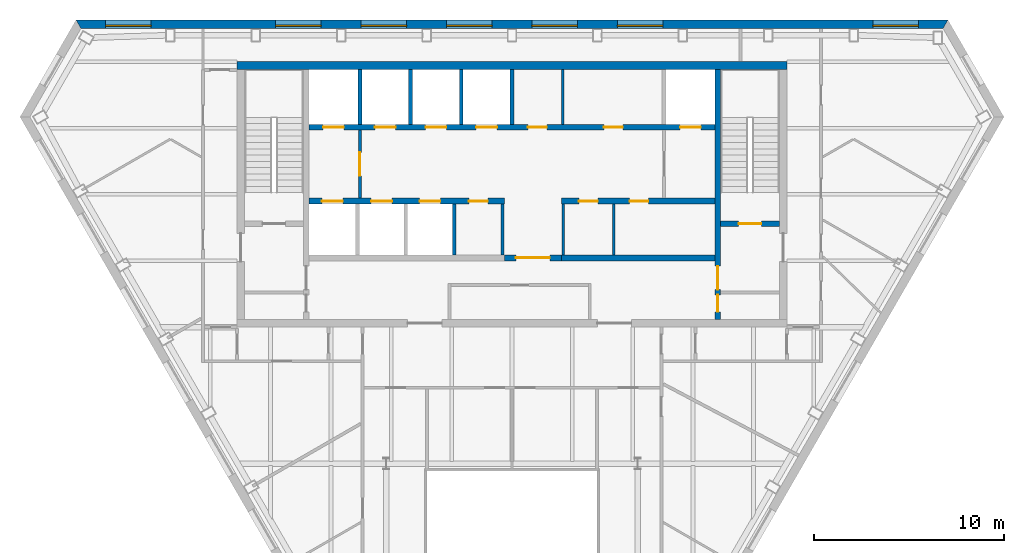
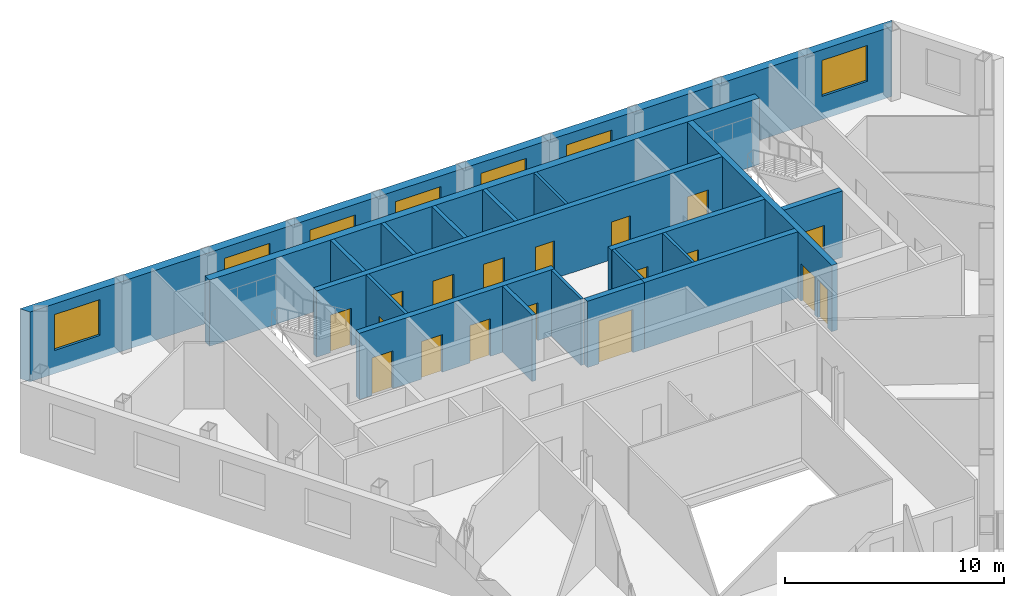
# One storey, part 6 of 10: 19 walls, 18 doors, 7 windows, 25 openings.
"""IFC4 building model written with IfcOpenShell, lengths in metres."""

from ifc_helpers import new_model, si_unit, direction, frame, frame_2d, origin, place, context, subcontext, project, spatial, polyline, rectangle, outline, extrude, material, layer, layer_set, type_object, element, fill, save


model = new_model("IFC4")

# Units and contexts
model_context = context("Model", 3, precision=1e-05, world=origin(), true_north=direction((0.0, 1.0)))
body_context = subcontext(model_context, "Body", "Model", "MODEL_VIEW")
ifc_project = project(units=[si_unit("LENGTHUNIT", "METRE"), si_unit("AREAUNIT", "SQUARE_METRE"), si_unit("VOLUMEUNIT", "CUBIC_METRE"), si_unit("PLANEANGLEUNIT", "RADIAN"), si_unit("MASSUNIT", "GRAM", prefix="KILO")], contexts=[model_context])

# Site, building, storey
site_placement = place(None, origin())
site = spatial("IfcSite", under=ifc_project, at=site_placement, CompositionType="ELEMENT")
building_placement = place(site_placement, origin())
building = spatial("IfcBuilding", under=site, at=building_placement, Name="Njiva Tower", CompositionType="ELEMENT")
storey_placement = place(building_placement, frame((0.0, 0.0, 261.0)))
storey = spatial("IfcBuildingStorey", under=building, at=storey_placement, Name="L59", CompositionType="ELEMENT", Elevation=261.0)

# Walls
ifc_material_1 = material(Name="Blockwork", Category="masonry")
ifc_layer_1 = layer(ifc_material_1, 0.15)
ifc_layer_set_1 = layer_set([ifc_layer_1], Name="Blockwork")
wall_type_1 = type_object("IfcWallType", Name="WT1 Compartment partition 150", PredefinedType="PARTITIONING", material=ifc_layer_set_1)
wall_1_placement = place(storey_placement, frame((2.675, 14.7, 0.0), z_axis=(0.0, 0.0, 1.0), x_axis=(0.0, 1.0, 0.0)))
element("IfcWall", 1, at=wall_1_placement, inside=storey, type_object=wall_type_1, Name="Partition CN5", PredefinedType="PARTITIONING", context=body_context, shape_type="SweptSolid", body=[
    extrude(rectangle(XDim=2.9, YDim=0.15, at=frame_2d((1.45, 0.0))), origin(), (0.0, 0.0, 1.0), 3.7),
])
for number, where, z_axis, x_axis, name in (
    (2, (-0.5, 7.8, 0.0), (0.0, 0.0, 1.0), (0.0, 1.0, 0.0), "Partition CS4"),
    (3, (2.7, 7.8, 0.0), (0.0, 0.0, 1.0), (0.0, 1.0, 0.0), "Partition CS5"),
    (4, (5.3667, 7.8, 0.0), (0.0, 0.0, 1.0), (0.0, 1.0, 0.0), "Partition CS6"),
):
    element("IfcWall", number, at=place(storey_placement, frame(where, z_axis=z_axis, x_axis=x_axis)), inside=storey, type_object=wall_type_1, Name=name, PredefinedType="PARTITIONING", context=body_context, shape_type="SweptSolid", body=[
        extrude(rectangle(XDim=2.7, YDim=0.15, at=frame_2d((1.35, 0.0))), origin(), (0.0, 0.0, 1.0), 3.7),
    ])

# Wall, openings, doors
ifc_material_2 = material(Name="Concrete C40/50", Category="concrete")
ifc_layer_2 = layer(ifc_material_2, 0.3)
ifc_layer_set_2 = layer_set([ifc_layer_2], Name="Concrete C40/50")
wall_type_2 = type_object("IfcWallType", Name="WT10 Stair enclosure wall 300", PredefinedType="SHEAR", material=ifc_layer_set_2)
wall_2_placement = place(storey_placement, frame((10.85, 4.4, 0.0), z_axis=(0.0, 0.0, 1.0), x_axis=(0.0, 1.0, 0.0)))
wall_2 = element("IfcWall", 5, at=wall_2_placement, inside=storey, type_object=wall_type_2, Name="Stair wall east inner", PredefinedType="SHEAR", context=body_context, shape_type="SweptSolid", body=[
    extrude(rectangle(XDim=13.2, YDim=0.3, at=frame_2d((6.6, 0.0))), origin(), (0.0, 0.0, 1.0), 3.7),
])
opening_1_placement = place(wall_2_placement, frame((1.575, 0.0, 0.0)))
opening_1 = element("IfcOpeningElement", 6, at=opening_1_placement, cuts=wall_2, Name="Opening S19-D921", PredefinedType="OPENING", context=body_context, shape_type="SweptSolid", body=[
    extrude(rectangle(XDim=1.25, YDim=2.1, at=frame_2d((0.625, 1.05))), frame((0.0, 0.16, 0.0), z_axis=(0.0, -1.0, 0.0), x_axis=(1.0, 0.0, 0.0)), (0.0, 0.0, 1.0), 0.32),
])
opening_2_placement = place(wall_2_placement, frame((0.4, 0.0, 0.0)))
opening_2 = element("IfcOpeningElement", 7, at=opening_2_placement, cuts=wall_2, Name="Opening S19-D923", PredefinedType="OPENING", context=body_context, shape_type="SweptSolid", body=[
    extrude(rectangle(XDim=0.9, YDim=2.1, at=frame_2d((0.45, 1.05))), frame((0.0, 0.16, 0.0), z_axis=(0.0, -1.0, 0.0), x_axis=(1.0, 0.0, 0.0)), (0.0, 0.0, 1.0), 0.32),
])
ifc_material_3 = material(Name="Steel door, painted", Category="steel")
door_type_1 = type_object("IfcDoorType", Name="D13 Steel door 900x2100", OperationType="SINGLE_SWING_LEFT", PredefinedType="DOOR", material=ifc_material_3)
door_1_placement = place(opening_2_placement, origin())
door_1 = element("IfcDoor", 8, at=door_1_placement, inside=storey, type_object=door_type_1, Name="Business centre door", OperationType="SINGLE_SWING_LEFT", OverallHeight=2.1, OverallWidth=0.9, PredefinedType="DOOR", context=body_context, shape_type="SweptSolid", body=[
    extrude(rectangle(XDim=0.9, YDim=2.1, at=frame_2d((0.45, 1.05))), frame((0.0, 0.025, 0.0), z_axis=(0.0, -1.0, 0.0), x_axis=(1.0, 0.0, 0.0)), (0.0, 0.0, 1.0), 0.05),
])
fill(opening_2, door_1)
ifc_material_4 = material(Name="Glazed steel fire door", Category="steel")
door_type_2 = type_object("IfcDoorType", Name="D8 Vestibule corridor door 1250x2100 glazed", OperationType="SINGLE_SWING_LEFT", PredefinedType="DOOR", material=ifc_material_4)
door_2_placement = place(opening_1_placement, origin())
door_2 = element("IfcDoor", 9, at=door_2_placement, inside=storey, type_object=door_type_2, Name="Stair vestibule corridor door", OperationType="SINGLE_SWING_RIGHT", OverallHeight=2.1, OverallWidth=1.25, PredefinedType="DOOR", context=body_context, shape_type="SweptSolid", body=[
    extrude(rectangle(XDim=1.25, YDim=2.1, at=frame_2d((0.625, 1.05))), frame((0.0, 0.025, 0.0), z_axis=(0.0, -1.0, 0.0), x_axis=(1.0, 0.0, 0.0)), (0.0, 0.0, 1.0), 0.05),
])
fill(opening_1, door_2)

# Wall, opening, door
wall_3_placement = place(storey_placement, frame((11.0, 9.45, 0.0), z_axis=(0.0, 0.0, 1.0), x_axis=(1.0, 0.0, 0.0)))
wall_3 = element("IfcWall", 10, at=wall_3_placement, inside=storey, type_object=wall_type_2, Name="Stair B south wall", PredefinedType="SHEAR", context=body_context, shape_type="SweptSolid", body=[
    extrude(rectangle(XDim=3.1, YDim=0.3, at=frame_2d((1.55, 0.0))), origin(), (0.0, 0.0, 1.0), 3.7),
])
opening_3_placement = place(wall_3_placement, frame((0.95, 0.0, 0.0)))
opening_3 = element("IfcOpeningElement", 11, at=opening_3_placement, cuts=wall_3, Name="Opening S19-D920", PredefinedType="OPENING", context=body_context, shape_type="SweptSolid", body=[
    extrude(rectangle(XDim=1.2, YDim=2.1, at=frame_2d((0.6, 1.05))), frame((0.0, 0.16, 0.0), z_axis=(0.0, -1.0, 0.0), x_axis=(1.0, 0.0, 0.0)), (0.0, 0.0, 1.0), 0.32),
])
door_type_3 = type_object("IfcDoorType", Name="D7 Stair vestibule door 1200x2100 glazed", OperationType="SINGLE_SWING_LEFT", PredefinedType="DOOR", material=ifc_material_4)
door_3_placement = place(opening_3_placement, origin())
door_3 = element("IfcDoor", 12, at=door_3_placement, inside=storey, type_object=door_type_3, Name="Stair B door", OperationType="SINGLE_SWING_LEFT", OverallHeight=2.1, OverallWidth=1.2, PredefinedType="DOOR", context=body_context, shape_type="SweptSolid", body=[
    extrude(rectangle(XDim=1.2, YDim=2.1, at=frame_2d((0.6, 1.05))), frame((0.0, 0.025, 0.0), z_axis=(0.0, -1.0, 0.0), x_axis=(1.0, 0.0, 0.0)), (0.0, 0.0, 1.0), 0.05),
])
fill(opening_3, door_3)

# Wall
ifc_material_5 = material(Name="Concrete C60/75", Category="concrete")
ifc_layer_3 = layer(ifc_material_5, 0.4)
ifc_layer_set_3 = layer_set([ifc_layer_3], Name="Concrete C60/75")
wall_type_3 = type_object("IfcWallType", Name="WT11 Core wall 400", PredefinedType="SHEAR", material=ifc_layer_set_3)
wall_4_placement = place(storey_placement, frame((-14.5, 17.8, 0.0), z_axis=(0.0, 0.0, 1.0), x_axis=(1.0, 0.0, 0.0)))
element("IfcWall", 13, at=wall_4_placement, inside=storey, type_object=wall_type_3, Name="Core wall north", PredefinedType="SHEAR", context=body_context, shape_type="SweptSolid", body=[
    extrude(rectangle(XDim=29.0, YDim=0.4, at=frame_2d((14.5, 0.0))), origin(), (0.0, 0.0, 1.0), 3.7),
])

# Wall, opening, door
ifc_layer_4 = layer(ifc_material_1, 0.15)
ifc_layer_set_4 = layer_set([ifc_layer_4], Name="Blockwork")
wall_type_4 = type_object("IfcWallType", Name="WT2 Lobby partition 150", PredefinedType="PARTITIONING", material=ifc_layer_set_4)
wall_5_placement = place(storey_placement, frame((-8.025, 10.8, 0.0), z_axis=(0.0, 0.0, 1.0), x_axis=(0.0, 1.0, 0.0)))
wall_5 = element("IfcWall", 14, at=wall_5_placement, inside=storey, type_object=wall_type_4, Name="Firefighting lobby wall A", PredefinedType="PARTITIONING", context=body_context, shape_type="SweptSolid", body=[
    extrude(rectangle(XDim=3.6, YDim=0.15, at=frame_2d((1.8, 0.0))), origin(), (0.0, 0.0, 1.0), 3.7),
])
opening_4_placement = place(wall_5_placement, frame((1.175, 0.0, 0.0)))
opening_4 = element("IfcOpeningElement", 15, at=opening_4_placement, cuts=wall_5, Name="Opening S19-D914", PredefinedType="OPENING", context=body_context, shape_type="SweptSolid", body=[
    extrude(rectangle(XDim=1.25, YDim=2.1, at=frame_2d((0.625, 1.05))), frame((0.0, 0.085, 0.0), z_axis=(0.0, -1.0, 0.0), x_axis=(1.0, 0.0, 0.0)), (0.0, 0.0, 1.0), 0.17),
])
door_4_placement = place(opening_4_placement, origin())
door_4 = element("IfcDoor", 16, at=door_4_placement, inside=storey, type_object=door_type_2, Name="Stair vestibule corridor door", OperationType="SINGLE_SWING_RIGHT", OverallHeight=2.1, OverallWidth=1.25, PredefinedType="DOOR", context=body_context, shape_type="SweptSolid", body=[
    extrude(rectangle(XDim=1.25, YDim=2.1, at=frame_2d((0.625, 1.05))), frame((0.0, 0.025, 0.0), z_axis=(0.0, -1.0, 0.0), x_axis=(1.0, 0.0, 0.0)), (0.0, 0.0, 1.0), 0.05),
])
fill(opening_4, door_4)

ifc_layer_5 = layer(ifc_material_1, 0.3)
ifc_layer_set_5 = layer_set([ifc_layer_5], Name="Blockwork")
wall_type_5 = type_object("IfcWallType", Name="WT5 Lobby partition 300", PredefinedType="PARTITIONING", material=ifc_layer_set_5)
wall_6_placement = place(storey_placement, frame((-0.4, 7.65, 0.0), z_axis=(0.0, 0.0, 1.0), x_axis=(1.0, 0.0, 0.0)))
wall_6 = element("IfcWall", 17, at=wall_6_placement, inside=storey, type_object=wall_type_5, Name="Lift lobby screen wall", PredefinedType="PARTITIONING", context=body_context, shape_type="SweptSolid", body=[
    extrude(rectangle(XDim=3.0, YDim=0.3, at=frame_2d((1.5, 0.0))), origin(), (0.0, 0.0, 1.0), 3.7),
])
opening_5_placement = place(wall_6_placement, frame((0.6, 0.0, 0.0)))
opening_5 = element("IfcOpeningElement", 18, at=opening_5_placement, cuts=wall_6, Name="Opening S19-D925", PredefinedType="OPENING", context=body_context, shape_type="SweptSolid", body=[
    extrude(rectangle(XDim=1.8, YDim=2.4, at=frame_2d((0.9, 1.2))), frame((0.0, 0.16, 0.0), z_axis=(0.0, -1.0, 0.0), x_axis=(1.0, 0.0, 0.0)), (0.0, 0.0, 1.0), 0.32),
])
ifc_material_6 = material(Name="Steel and glass door", Category="steel")
door_type_4 = type_object("IfcDoorType", Name="D3 Core entrance door 1800x2400", OperationType="DOUBLE_DOOR_SINGLE_SWING", PredefinedType="DOOR", material=ifc_material_6)
door_5_placement = place(opening_5_placement, origin())
door_5 = element("IfcDoor", 19, at=door_5_placement, inside=storey, type_object=door_type_4, Name="Core entrance door", OperationType="DOUBLE_DOOR_SINGLE_SWING", OverallHeight=2.4, OverallWidth=1.8, PredefinedType="DOOR", context=body_context, shape_type="SweptSolid", body=[
    extrude(rectangle(XDim=1.8, YDim=2.4, at=frame_2d((0.9, 1.2))), frame((0.0, 0.025, 0.0), z_axis=(0.0, -1.0, 0.0), x_axis=(1.0, 0.0, 0.0)), (0.0, 0.0, 1.0), 0.05),
])
fill(opening_5, door_5)

# Walls
ifc_layer_6 = layer(ifc_material_2, 0.2)
ifc_layer_set_6 = layer_set([ifc_layer_6], Name="Concrete C40/50")
wall_type_6 = type_object("IfcWallType", Name="WT6 Lift shaft wall 200", PredefinedType="SHEAR", material=ifc_layer_set_6)
for number, where, z_axis, x_axis, name in (
    (20, (-8.025, 14.7, 0.0), (0.0, 0.0, 1.0), (0.0, 1.0, 0.0), "Shaft wall CN1"),
    (21, (-5.35, 14.7, 0.0), (0.0, 0.0, 1.0), (0.0, 1.0, 0.0), "Shaft wall CN2"),
    (22, (-2.675, 14.7, 0.0), (0.0, 0.0, 1.0), (0.0, 1.0, 0.0), "Shaft wall CN3"),
    (23, (0.0, 14.7, 0.0), (0.0, 0.0, 1.0), (0.0, 1.0, 0.0), "Shaft wall CN4"),
):
    element("IfcWall", number, at=place(storey_placement, frame(where, z_axis=z_axis, x_axis=x_axis)), inside=storey, type_object=wall_type_6, Name=name, PredefinedType="SHEAR", context=body_context, shape_type="SweptSolid", body=[
        extrude(rectangle(XDim=2.9, YDim=0.2, at=frame_2d((1.45, 0.0))), origin(), (0.0, 0.0, 1.0), 3.7),
    ])
wall_7_placement = place(storey_placement, frame((-3.05, 7.8, 0.0), z_axis=(0.0, 0.0, 1.0), x_axis=(0.0, 1.0, 0.0)))
element("IfcWall", 24, at=wall_7_placement, inside=storey, type_object=wall_type_6, Name="Shaft wall CS3", PredefinedType="SHEAR", context=body_context, shape_type="SweptSolid", body=[
    extrude(rectangle(XDim=2.7, YDim=0.2, at=frame_2d((1.35, 0.0))), origin(), (0.0, 0.0, 1.0), 3.7),
])

# Wall, openings, doors
ifc_layer_7 = layer(ifc_material_2, 0.3)
ifc_layer_set_7 = layer_set([ifc_layer_7], Name="Concrete C40/50")
wall_type_7 = type_object("IfcWallType", Name="WT7 Lift shaft wall 300", PredefinedType="SHEAR", material=ifc_layer_set_7)
wall_8_placement = place(storey_placement, frame((-10.7, 14.55, 0.0), z_axis=(0.0, 0.0, 1.0), x_axis=(1.0, 0.0, 0.0)))
wall_8 = element("IfcWall", 25, at=wall_8_placement, inside=storey, type_object=wall_type_7, Name="Shaft wall north row lobby side", PredefinedType="SHEAR", context=body_context, shape_type="SweptSolid", body=[
    extrude(rectangle(XDim=21.4, YDim=0.3, at=frame_2d((10.7, 0.0))), origin(), (0.0, 0.0, 1.0), 3.7),
])
opening_6_placement = place(wall_8_placement, frame((0.7375, 0.0, 0.0)))
opening_6 = element("IfcOpeningElement", 26, at=opening_6_placement, cuts=wall_8, Name="Opening S19-D901", PredefinedType="OPENING", context=body_context, shape_type="SweptSolid", body=[
    extrude(rectangle(XDim=1.1, YDim=2.1, at=frame_2d((0.55, 1.05))), frame((0.0, 0.16, 0.0), z_axis=(0.0, -1.0, 0.0), x_axis=(1.0, 0.0, 0.0)), (0.0, 0.0, 1.0), 0.32),
])
opening_7_placement = place(wall_8_placement, frame((3.4625, 0.0, 0.0)))
opening_7 = element("IfcOpeningElement", 27, at=opening_7_placement, cuts=wall_8, Name="Opening S19-D902", PredefinedType="OPENING", context=body_context, shape_type="SweptSolid", body=[
    extrude(rectangle(XDim=1.1, YDim=2.1, at=frame_2d((0.55, 1.05))), frame((0.0, 0.16, 0.0), z_axis=(0.0, -1.0, 0.0), x_axis=(1.0, 0.0, 0.0)), (0.0, 0.0, 1.0), 0.32),
])
opening_8_placement = place(wall_8_placement, frame((6.1375, 0.0, 0.0)))
opening_8 = element("IfcOpeningElement", 28, at=opening_8_placement, cuts=wall_8, Name="Opening S19-D903", PredefinedType="OPENING", context=body_context, shape_type="SweptSolid", body=[
    extrude(rectangle(XDim=1.1, YDim=2.1, at=frame_2d((0.55, 1.05))), frame((0.0, 0.16, 0.0), z_axis=(0.0, -1.0, 0.0), x_axis=(1.0, 0.0, 0.0)), (0.0, 0.0, 1.0), 0.32),
])
opening_9_placement = place(wall_8_placement, frame((8.8125, 0.0, 0.0)))
opening_9 = element("IfcOpeningElement", 29, at=opening_9_placement, cuts=wall_8, Name="Opening S19-D904", PredefinedType="OPENING", context=body_context, shape_type="SweptSolid", body=[
    extrude(rectangle(XDim=1.1, YDim=2.1, at=frame_2d((0.55, 1.05))), frame((0.0, 0.16, 0.0), z_axis=(0.0, -1.0, 0.0), x_axis=(1.0, 0.0, 0.0)), (0.0, 0.0, 1.0), 0.32),
])
opening_10_placement = place(wall_8_placement, frame((19.5625, 0.0, 0.0)))
opening_10 = element("IfcOpeningElement", 30, at=opening_10_placement, cuts=wall_8, Name="Opening S19-D905", PredefinedType="OPENING", context=body_context, shape_type="SweptSolid", body=[
    extrude(rectangle(XDim=1.1, YDim=2.1, at=frame_2d((0.55, 1.05))), frame((0.0, 0.16, 0.0), z_axis=(0.0, -1.0, 0.0), x_axis=(1.0, 0.0, 0.0)), (0.0, 0.0, 1.0), 0.32),
])
opening_11_placement = place(wall_8_placement, frame((11.5375, 0.0, 0.0)))
opening_11 = element("IfcOpeningElement", 31, at=opening_11_placement, cuts=wall_8, Name="Opening S19-D909", PredefinedType="OPENING", context=body_context, shape_type="SweptSolid", body=[
    extrude(rectangle(XDim=1.0, YDim=2.1, at=frame_2d((0.5, 1.05))), frame((0.0, 0.16, 0.0), z_axis=(0.0, -1.0, 0.0), x_axis=(1.0, 0.0, 0.0)), (0.0, 0.0, 1.0), 0.32),
])
opening_12_placement = place(wall_8_placement, frame((15.55, 0.0, 0.0)))
opening_12 = element("IfcOpeningElement", 32, at=opening_12_placement, cuts=wall_8, Name="Opening S19-D910", PredefinedType="OPENING", context=body_context, shape_type="SweptSolid", body=[
    extrude(rectangle(XDim=1.0, YDim=2.1, at=frame_2d((0.5, 1.05))), frame((0.0, 0.16, 0.0), z_axis=(0.0, -1.0, 0.0), x_axis=(1.0, 0.0, 0.0)), (0.0, 0.0, 1.0), 0.32),
])
door_type_5 = type_object("IfcDoorType", Name="D5 Steel door 1000x2100", OperationType="SINGLE_SWING_LEFT", PredefinedType="DOOR", material=ifc_material_3)
door_6_placement = place(opening_11_placement, origin())
door_6 = element("IfcDoor", 33, at=door_6_placement, inside=storey, type_object=door_type_5, Name="Quiet room door", OperationType="SINGLE_SWING_LEFT", OverallHeight=2.1, OverallWidth=1.0, PredefinedType="DOOR", context=body_context, shape_type="SweptSolid", body=[
    extrude(rectangle(XDim=1.0, YDim=2.1, at=frame_2d((0.5, 1.05))), frame((0.0, 0.025, 0.0), z_axis=(0.0, -1.0, 0.0), x_axis=(1.0, 0.0, 0.0)), (0.0, 0.0, 1.0), 0.05),
])
fill(opening_11, door_6)
door_7_placement = place(opening_12_placement, origin())
door_7 = element("IfcDoor", 34, at=door_7_placement, inside=storey, type_object=door_type_5, Name="Prayer room door", OperationType="SINGLE_SWING_LEFT", OverallHeight=2.1, OverallWidth=1.0, PredefinedType="DOOR", context=body_context, shape_type="SweptSolid", body=[
    extrude(rectangle(XDim=1.0, YDim=2.1, at=frame_2d((0.5, 1.05))), frame((0.0, 0.025, 0.0), z_axis=(0.0, -1.0, 0.0), x_axis=(1.0, 0.0, 0.0)), (0.0, 0.0, 1.0), 0.05),
])
fill(opening_12, door_7)
ifc_material_7 = material(Name="Stainless steel sliding door", Category="steel")
door_type_6 = type_object("IfcDoorType", Name="LD Lift landing door 1100x2100", OperationType="SLIDING_TO_LEFT", PredefinedType="DOOR", material=ifc_material_7)
door_8_placement = place(opening_6_placement, origin())
door_8 = element("IfcDoor", 35, at=door_8_placement, inside=storey, type_object=door_type_6, Name="Lift landing door FF1", OperationType="SLIDING_TO_LEFT", OverallHeight=2.1, OverallWidth=1.1, PredefinedType="DOOR", context=body_context, shape_type="SweptSolid", body=[
    extrude(rectangle(XDim=1.1, YDim=2.1, at=frame_2d((0.55, 1.05))), frame((0.0, 0.025, 0.0), z_axis=(0.0, -1.0, 0.0), x_axis=(1.0, 0.0, 0.0)), (0.0, 0.0, 1.0), 0.05),
])
fill(opening_6, door_8)
door_9_placement = place(opening_7_placement, origin())
door_9 = element("IfcDoor", 36, at=door_9_placement, inside=storey, type_object=door_type_6, Name="Lift landing door HB4", OperationType="SLIDING_TO_LEFT", OverallHeight=2.1, OverallWidth=1.1, PredefinedType="DOOR", context=body_context, shape_type="SweptSolid", body=[
    extrude(rectangle(XDim=1.1, YDim=2.1, at=frame_2d((0.55, 1.05))), frame((0.0, 0.025, 0.0), z_axis=(0.0, -1.0, 0.0), x_axis=(1.0, 0.0, 0.0)), (0.0, 0.0, 1.0), 0.05),
])
fill(opening_7, door_9)
door_10_placement = place(opening_8_placement, origin())
door_10 = element("IfcDoor", 37, at=door_10_placement, inside=storey, type_object=door_type_6, Name="Lift landing door HB5", OperationType="SLIDING_TO_LEFT", OverallHeight=2.1, OverallWidth=1.1, PredefinedType="DOOR", context=body_context, shape_type="SweptSolid", body=[
    extrude(rectangle(XDim=1.1, YDim=2.1, at=frame_2d((0.55, 1.05))), frame((0.0, 0.025, 0.0), z_axis=(0.0, -1.0, 0.0), x_axis=(1.0, 0.0, 0.0)), (0.0, 0.0, 1.0), 0.05),
])
fill(opening_8, door_10)
door_11_placement = place(opening_9_placement, origin())
door_11 = element("IfcDoor", 38, at=door_11_placement, inside=storey, type_object=door_type_6, Name="Lift landing door HB6", OperationType="SLIDING_TO_LEFT", OverallHeight=2.1, OverallWidth=1.1, PredefinedType="DOOR", context=body_context, shape_type="SweptSolid", body=[
    extrude(rectangle(XDim=1.1, YDim=2.1, at=frame_2d((0.55, 1.05))), frame((0.0, 0.025, 0.0), z_axis=(0.0, -1.0, 0.0), x_axis=(1.0, 0.0, 0.0)), (0.0, 0.0, 1.0), 0.05),
])
fill(opening_9, door_11)
door_12_placement = place(opening_10_placement, origin())
door_12 = element("IfcDoor", 39, at=door_12_placement, inside=storey, type_object=door_type_6, Name="Lift landing door FF2", OperationType="SLIDING_TO_LEFT", OverallHeight=2.1, OverallWidth=1.1, PredefinedType="DOOR", context=body_context, shape_type="SweptSolid", body=[
    extrude(rectangle(XDim=1.1, YDim=2.1, at=frame_2d((0.55, 1.05))), frame((0.0, 0.025, 0.0), z_axis=(0.0, -1.0, 0.0), x_axis=(1.0, 0.0, 0.0)), (0.0, 0.0, 1.0), 0.05),
])
fill(opening_10, door_12)

wall_9_placement = place(storey_placement, frame((-10.7, 10.65, 0.0), z_axis=(0.0, 0.0, 1.0), x_axis=(1.0, 0.0, 0.0)))
wall_9 = element("IfcWall", 40, at=wall_9_placement, inside=storey, type_object=wall_type_7, Name="Shaft wall south row lobby side W", PredefinedType="SHEAR", context=body_context, shape_type="SweptSolid", body=[
    extrude(rectangle(XDim=10.3, YDim=0.3, at=frame_2d((5.15, 0.0))), origin(), (0.0, 0.0, 1.0), 3.7),
])
opening_13_placement = place(wall_9_placement, frame((0.675, 0.0, 0.0)))
opening_13 = element("IfcOpeningElement", 41, at=opening_13_placement, cuts=wall_9, Name="Opening S19-D906", PredefinedType="OPENING", context=body_context, shape_type="SweptSolid", body=[
    extrude(rectangle(XDim=1.1, YDim=2.1, at=frame_2d((0.55, 1.05))), frame((0.0, 0.16, 0.0), z_axis=(0.0, -1.0, 0.0), x_axis=(1.0, 0.0, 0.0)), (0.0, 0.0, 1.0), 0.32),
])
opening_14_placement = place(wall_9_placement, frame((3.275, 0.0, 0.0)))
opening_14 = element("IfcOpeningElement", 42, at=opening_14_placement, cuts=wall_9, Name="Opening S19-D907", PredefinedType="OPENING", context=body_context, shape_type="SweptSolid", body=[
    extrude(rectangle(XDim=1.1, YDim=2.1, at=frame_2d((0.55, 1.05))), frame((0.0, 0.16, 0.0), z_axis=(0.0, -1.0, 0.0), x_axis=(1.0, 0.0, 0.0)), (0.0, 0.0, 1.0), 0.32),
])
opening_15_placement = place(wall_9_placement, frame((5.825, 0.0, 0.0)))
opening_15 = element("IfcOpeningElement", 43, at=opening_15_placement, cuts=wall_9, Name="Opening S19-D908", PredefinedType="OPENING", context=body_context, shape_type="SweptSolid", body=[
    extrude(rectangle(XDim=1.1, YDim=2.1, at=frame_2d((0.55, 1.05))), frame((0.0, 0.16, 0.0), z_axis=(0.0, -1.0, 0.0), x_axis=(1.0, 0.0, 0.0)), (0.0, 0.0, 1.0), 0.32),
])
opening_16_placement = place(wall_9_placement, frame((8.425, 0.0, 0.0)))
opening_16 = element("IfcOpeningElement", 44, at=opening_16_placement, cuts=wall_9, Name="Opening S19-D911", PredefinedType="OPENING", context=body_context, shape_type="SweptSolid", body=[
    extrude(rectangle(XDim=1.0, YDim=2.1, at=frame_2d((0.5, 1.05))), frame((0.0, 0.16, 0.0), z_axis=(0.0, -1.0, 0.0), x_axis=(1.0, 0.0, 0.0)), (0.0, 0.0, 1.0), 0.32),
])
door_13_placement = place(opening_16_placement, origin())
door_13 = element("IfcDoor", 45, at=door_13_placement, inside=storey, type_object=door_type_5, Name="Business centre door", OperationType="SINGLE_SWING_RIGHT", OverallHeight=2.1, OverallWidth=1.0, PredefinedType="DOOR", context=body_context, shape_type="SweptSolid", body=[
    extrude(rectangle(XDim=1.0, YDim=2.1, at=frame_2d((0.5, 1.05))), frame((0.0, 0.025, 0.0), z_axis=(0.0, -1.0, 0.0), x_axis=(1.0, 0.0, 0.0)), (0.0, 0.0, 1.0), 0.05),
])
fill(opening_16, door_13)
door_14_placement = place(opening_13_placement, origin())
door_14 = element("IfcDoor", 46, at=door_14_placement, inside=storey, type_object=door_type_6, Name="Lift landing door HB1", OperationType="SLIDING_TO_LEFT", OverallHeight=2.1, OverallWidth=1.1, PredefinedType="DOOR", context=body_context, shape_type="SweptSolid", body=[
    extrude(rectangle(XDim=1.1, YDim=2.1, at=frame_2d((0.55, 1.05))), frame((0.0, 0.025, 0.0), z_axis=(0.0, -1.0, 0.0), x_axis=(1.0, 0.0, 0.0)), (0.0, 0.0, 1.0), 0.05),
])
fill(opening_13, door_14)
door_15_placement = place(opening_14_placement, origin())
door_15 = element("IfcDoor", 47, at=door_15_placement, inside=storey, type_object=door_type_6, Name="Lift landing door HB2", OperationType="SLIDING_TO_LEFT", OverallHeight=2.1, OverallWidth=1.1, PredefinedType="DOOR", context=body_context, shape_type="SweptSolid", body=[
    extrude(rectangle(XDim=1.1, YDim=2.1, at=frame_2d((0.55, 1.05))), frame((0.0, 0.025, 0.0), z_axis=(0.0, -1.0, 0.0), x_axis=(1.0, 0.0, 0.0)), (0.0, 0.0, 1.0), 0.05),
])
fill(opening_14, door_15)
door_16_placement = place(opening_15_placement, origin())
door_16 = element("IfcDoor", 48, at=door_16_placement, inside=storey, type_object=door_type_6, Name="Lift landing door HB3", OperationType="SLIDING_TO_LEFT", OverallHeight=2.1, OverallWidth=1.1, PredefinedType="DOOR", context=body_context, shape_type="SweptSolid", body=[
    extrude(rectangle(XDim=1.1, YDim=2.1, at=frame_2d((0.55, 1.05))), frame((0.0, 0.025, 0.0), z_axis=(0.0, -1.0, 0.0), x_axis=(1.0, 0.0, 0.0)), (0.0, 0.0, 1.0), 0.05),
])
fill(opening_15, door_16)

wall_10_placement = place(storey_placement, frame((2.6, 10.65, 0.0), z_axis=(0.0, 0.0, 1.0), x_axis=(1.0, 0.0, 0.0)))
wall_10 = element("IfcWall", 49, at=wall_10_placement, inside=storey, type_object=wall_type_7, Name="Shaft wall south row lobby side E", PredefinedType="SHEAR", context=body_context, shape_type="SweptSolid", body=[
    extrude(rectangle(XDim=8.1, YDim=0.3, at=frame_2d((4.05, 0.0))), origin(), (0.0, 0.0, 1.0), 3.7),
])
opening_17_placement = place(wall_10_placement, frame((0.9334, 0.0, 0.0)))
opening_17 = element("IfcOpeningElement", 50, at=opening_17_placement, cuts=wall_10, Name="Opening S19-D912", PredefinedType="OPENING", context=body_context, shape_type="SweptSolid", body=[
    extrude(rectangle(XDim=1.0, YDim=2.1, at=frame_2d((0.5, 1.05))), frame((0.0, 0.16, 0.0), z_axis=(0.0, -1.0, 0.0), x_axis=(1.0, 0.0, 0.0)), (0.0, 0.0, 1.0), 0.32),
])
opening_18_placement = place(wall_10_placement, frame((3.6, 0.0, 0.0)))
opening_18 = element("IfcOpeningElement", 51, at=opening_18_placement, cuts=wall_10, Name="Opening S19-D913", PredefinedType="OPENING", context=body_context, shape_type="SweptSolid", body=[
    extrude(rectangle(XDim=1.0, YDim=2.1, at=frame_2d((0.5, 1.05))), frame((0.0, 0.16, 0.0), z_axis=(0.0, -1.0, 0.0), x_axis=(1.0, 0.0, 0.0)), (0.0, 0.0, 1.0), 0.32),
])
door_17_placement = place(opening_17_placement, origin())
door_17 = element("IfcDoor", 52, at=door_17_placement, inside=storey, type_object=door_type_5, Name="Meeting room door", OperationType="SINGLE_SWING_LEFT", OverallHeight=2.1, OverallWidth=1.0, PredefinedType="DOOR", context=body_context, shape_type="SweptSolid", body=[
    extrude(rectangle(XDim=1.0, YDim=2.1, at=frame_2d((0.5, 1.05))), frame((0.0, 0.025, 0.0), z_axis=(0.0, -1.0, 0.0), x_axis=(1.0, 0.0, 0.0)), (0.0, 0.0, 1.0), 0.05),
])
fill(opening_17, door_17)
door_18_placement = place(opening_18_placement, origin())
door_18 = element("IfcDoor", 53, at=door_18_placement, inside=storey, type_object=door_type_5, Name="Pump room door", OperationType="SINGLE_SWING_RIGHT", OverallHeight=2.1, OverallWidth=1.0, PredefinedType="DOOR", context=body_context, shape_type="SweptSolid", body=[
    extrude(rectangle(XDim=1.0, YDim=2.1, at=frame_2d((0.5, 1.05))), frame((0.0, 0.025, 0.0), z_axis=(0.0, -1.0, 0.0), x_axis=(1.0, 0.0, 0.0)), (0.0, 0.0, 1.0), 0.05),
])
fill(opening_18, door_18)

# Wall
wall_11_placement = place(storey_placement, frame((2.6, 7.65, 0.0), z_axis=(0.0, 0.0, 1.0), x_axis=(1.0, 0.0, 0.0)))
element("IfcWall", 54, at=wall_11_placement, inside=storey, type_object=wall_type_7, Name="Shaft wall south row back E", PredefinedType="SHEAR", context=body_context, shape_type="SweptSolid", body=[
    extrude(rectangle(XDim=8.1, YDim=0.3, at=frame_2d((4.05, 0.0))), origin(), (0.0, 0.0, 1.0), 3.7),
])

# Wall, openings, windows
ifc_material_8 = material(Name="Brick masonry", Category="masonry")
ifc_layer_8 = layer(ifc_material_8, 0.45)
ifc_layer_set_8 = layer_set([ifc_layer_8], Name="Brick masonry")
wall_type_8 = type_object("IfcWallType", Name="WT90 Brick pier and spandrel wall 450", PredefinedType="SOLIDWALL", material=ifc_layer_set_8)
wall_12_placement = place(storey_placement, frame((22.8651, 19.975, -0.4), z_axis=(0.0, 0.0, 1.0), x_axis=(-1.0, 0.0, 0.0)))
wall_12 = element("IfcWall", 55, at=wall_12_placement, inside=storey, type_object=wall_type_8, Name="Facade wall N", PredefinedType="SOLIDWALL", context=body_context, shape_type="SweptSolid", body=[
    extrude(outline(polyline([(-0.1299, -0.225), (45.8601, -0.225), (45.6003, 0.225), (0.1299, 0.225), (-0.1299, -0.225)])), origin(), (0.0, 0.0, 1.0), 3.9),
])
opening_19_placement = place(wall_12_placement, frame((1.4237, 0.0, 1.3)))
opening_19 = element("IfcOpeningElement", 56, at=opening_19_placement, cuts=wall_12, Name="Opening S19-W01", PredefinedType="OPENING", context=body_context, shape_type="SweptSolid", body=[
    extrude(rectangle(XDim=2.4, YDim=2.0, at=frame_2d((1.2, 1.0))), frame((0.0, 0.235, 0.0), z_axis=(0.0, -1.0, 0.0), x_axis=(1.0, 0.0, 0.0)), (0.0, 0.0, 1.0), 0.47),
])
opening_20_placement = place(wall_12_placement, frame((14.9052, 0.0, 1.3)))
opening_20 = element("IfcOpeningElement", 57, at=opening_20_placement, cuts=wall_12, Name="Opening S19-W02", PredefinedType="OPENING", context=body_context, shape_type="SweptSolid", body=[
    extrude(rectangle(XDim=2.4, YDim=2.0, at=frame_2d((1.2, 1.0))), frame((0.0, 0.235, 0.0), z_axis=(0.0, -1.0, 0.0), x_axis=(1.0, 0.0, 0.0)), (0.0, 0.0, 1.0), 0.47),
])
opening_21_placement = place(wall_12_placement, frame((19.4118, 0.0, 1.3)))
opening_21 = element("IfcOpeningElement", 58, at=opening_21_placement, cuts=wall_12, Name="Opening S19-W03", PredefinedType="OPENING", context=body_context, shape_type="SweptSolid", body=[
    extrude(rectangle(XDim=2.4, YDim=2.0, at=frame_2d((1.2, 1.0))), frame((0.0, 0.235, 0.0), z_axis=(0.0, -1.0, 0.0), x_axis=(1.0, 0.0, 0.0)), (0.0, 0.0, 1.0), 0.47),
])
opening_22_placement = place(wall_12_placement, frame((23.9184, 0.0, 1.3)))
opening_22 = element("IfcOpeningElement", 59, at=opening_22_placement, cuts=wall_12, Name="Opening S19-W04", PredefinedType="OPENING", context=body_context, shape_type="SweptSolid", body=[
    extrude(rectangle(XDim=2.4, YDim=2.0, at=frame_2d((1.2, 1.0))), frame((0.0, 0.235, 0.0), z_axis=(0.0, -1.0, 0.0), x_axis=(1.0, 0.0, 0.0)), (0.0, 0.0, 1.0), 0.47),
])
opening_23_placement = place(wall_12_placement, frame((28.425, 0.0, 1.3)))
opening_23 = element("IfcOpeningElement", 60, at=opening_23_placement, cuts=wall_12, Name="Opening S19-W05", PredefinedType="OPENING", context=body_context, shape_type="SweptSolid", body=[
    extrude(rectangle(XDim=2.4, YDim=2.0, at=frame_2d((1.2, 1.0))), frame((0.0, 0.235, 0.0), z_axis=(0.0, -1.0, 0.0), x_axis=(1.0, 0.0, 0.0)), (0.0, 0.0, 1.0), 0.47),
])
opening_24_placement = place(wall_12_placement, frame((32.9316, 0.0, 1.3)))
opening_24 = element("IfcOpeningElement", 61, at=opening_24_placement, cuts=wall_12, Name="Opening S19-W06", PredefinedType="OPENING", context=body_context, shape_type="SweptSolid", body=[
    extrude(rectangle(XDim=2.4, YDim=2.0, at=frame_2d((1.2, 1.0))), frame((0.0, 0.235, 0.0), z_axis=(0.0, -1.0, 0.0), x_axis=(1.0, 0.0, 0.0)), (0.0, 0.0, 1.0), 0.47),
])
opening_25_placement = place(wall_12_placement, frame((41.9065, 0.0, 1.3)))
opening_25 = element("IfcOpeningElement", 62, at=opening_25_placement, cuts=wall_12, Name="Opening S19-W07", PredefinedType="OPENING", context=body_context, shape_type="SweptSolid", body=[
    extrude(rectangle(XDim=2.4, YDim=2.0, at=frame_2d((1.2, 1.0))), frame((0.0, 0.235, 0.0), z_axis=(0.0, -1.0, 0.0), x_axis=(1.0, 0.0, 0.0)), (0.0, 0.0, 1.0), 0.47),
])
ifc_material_9 = material(Name="Clear glazing in aluminium frame", Category="aluminium")
window_type = type_object("IfcWindowType", Name="W90 Deep-set window 2400x2000", PartitioningType="SINGLE_PANEL", PredefinedType="WINDOW", material=ifc_material_9)
window_1_placement = place(opening_19_placement, origin())
window_1 = element("IfcWindow", 63, at=window_1_placement, inside=storey, type_object=window_type, Name="Window", OverallHeight=2.0, OverallWidth=2.4, PartitioningType="SINGLE_PANEL", PredefinedType="WINDOW", context=body_context, shape_type="SweptSolid", body=[
    extrude(rectangle(XDim=2.4, YDim=2.0, at=frame_2d((1.2, 1.0))), frame((0.0, 0.105, 0.0), z_axis=(0.0, -1.0, 0.0), x_axis=(1.0, 0.0, 0.0)), (0.0, 0.0, 1.0), 0.06),
])
fill(opening_19, window_1)
window_2_placement = place(opening_20_placement, origin())
window_2 = element("IfcWindow", 64, at=window_2_placement, inside=storey, type_object=window_type, Name="Window", OverallHeight=2.0, OverallWidth=2.4, PartitioningType="SINGLE_PANEL", PredefinedType="WINDOW", context=body_context, shape_type="SweptSolid", body=[
    extrude(rectangle(XDim=2.4, YDim=2.0, at=frame_2d((1.2, 1.0))), frame((0.0, 0.105, 0.0), z_axis=(0.0, -1.0, 0.0), x_axis=(1.0, 0.0, 0.0)), (0.0, 0.0, 1.0), 0.06),
])
fill(opening_20, window_2)
window_3_placement = place(opening_21_placement, origin())
window_3 = element("IfcWindow", 65, at=window_3_placement, inside=storey, type_object=window_type, Name="Window", OverallHeight=2.0, OverallWidth=2.4, PartitioningType="SINGLE_PANEL", PredefinedType="WINDOW", context=body_context, shape_type="SweptSolid", body=[
    extrude(rectangle(XDim=2.4, YDim=2.0, at=frame_2d((1.2, 1.0))), frame((0.0, 0.105, 0.0), z_axis=(0.0, -1.0, 0.0), x_axis=(1.0, 0.0, 0.0)), (0.0, 0.0, 1.0), 0.06),
])
fill(opening_21, window_3)
window_4_placement = place(opening_22_placement, origin())
window_4 = element("IfcWindow", 66, at=window_4_placement, inside=storey, type_object=window_type, Name="Window", OverallHeight=2.0, OverallWidth=2.4, PartitioningType="SINGLE_PANEL", PredefinedType="WINDOW", context=body_context, shape_type="SweptSolid", body=[
    extrude(rectangle(XDim=2.4, YDim=2.0, at=frame_2d((1.2, 1.0))), frame((0.0, 0.105, 0.0), z_axis=(0.0, -1.0, 0.0), x_axis=(1.0, 0.0, 0.0)), (0.0, 0.0, 1.0), 0.06),
])
fill(opening_22, window_4)
window_5_placement = place(opening_23_placement, origin())
window_5 = element("IfcWindow", 67, at=window_5_placement, inside=storey, type_object=window_type, Name="Window", OverallHeight=2.0, OverallWidth=2.4, PartitioningType="SINGLE_PANEL", PredefinedType="WINDOW", context=body_context, shape_type="SweptSolid", body=[
    extrude(rectangle(XDim=2.4, YDim=2.0, at=frame_2d((1.2, 1.0))), frame((0.0, 0.105, 0.0), z_axis=(0.0, -1.0, 0.0), x_axis=(1.0, 0.0, 0.0)), (0.0, 0.0, 1.0), 0.06),
])
fill(opening_23, window_5)
window_6_placement = place(opening_24_placement, origin())
window_6 = element("IfcWindow", 68, at=window_6_placement, inside=storey, type_object=window_type, Name="Window", OverallHeight=2.0, OverallWidth=2.4, PartitioningType="SINGLE_PANEL", PredefinedType="WINDOW", context=body_context, shape_type="SweptSolid", body=[
    extrude(rectangle(XDim=2.4, YDim=2.0, at=frame_2d((1.2, 1.0))), frame((0.0, 0.105, 0.0), z_axis=(0.0, -1.0, 0.0), x_axis=(1.0, 0.0, 0.0)), (0.0, 0.0, 1.0), 0.06),
])
fill(opening_24, window_6)
window_7_placement = place(opening_25_placement, origin())
window_7 = element("IfcWindow", 69, at=window_7_placement, inside=storey, type_object=window_type, Name="Window", OverallHeight=2.0, OverallWidth=2.4, PartitioningType="SINGLE_PANEL", PredefinedType="WINDOW", context=body_context, shape_type="SweptSolid", body=[
    extrude(rectangle(XDim=2.4, YDim=2.0, at=frame_2d((1.2, 1.0))), frame((0.0, 0.105, 0.0), z_axis=(0.0, -1.0, 0.0), x_axis=(1.0, 0.0, 0.0)), (0.0, 0.0, 1.0), 0.06),
])
fill(opening_25, window_7)

save(model, "model.ifc")
